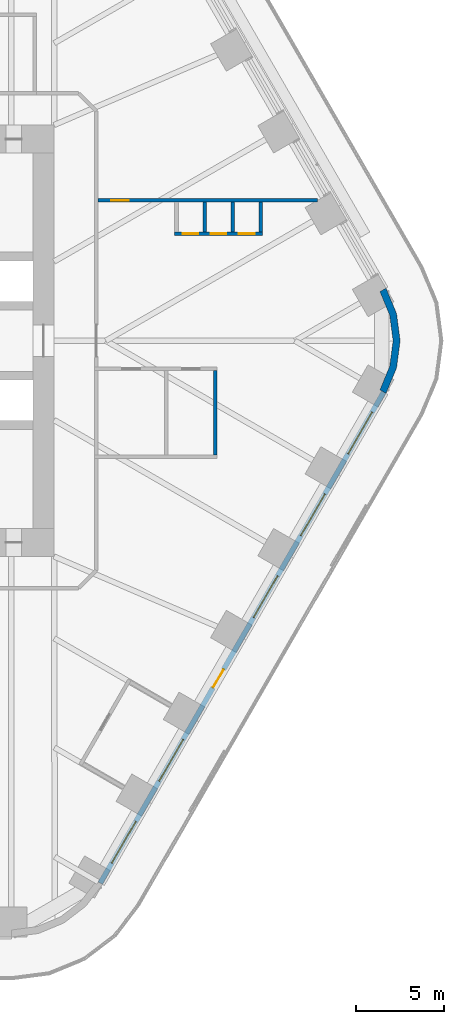
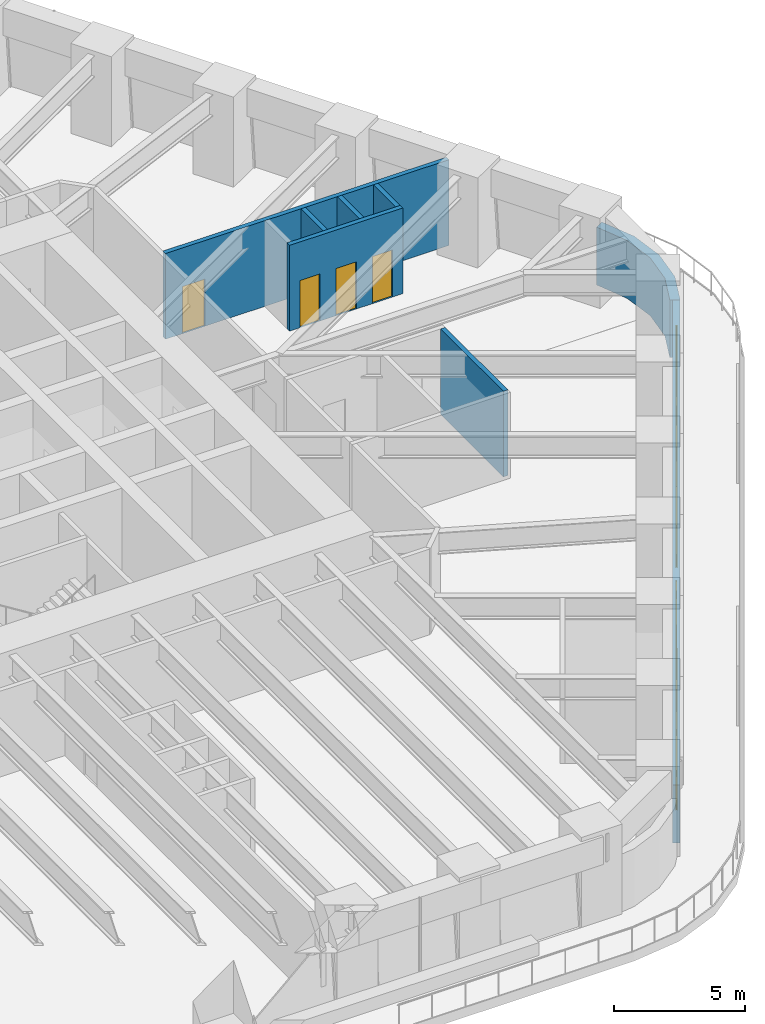
# One storey, part 20 of 24: 8 walls, 5 doors, 5 windows, 10 openings.
"""IFC4 building model written with IfcOpenShell, lengths in metres."""

from ifc_helpers import new_model, si_unit, direction, frame, frame_2d, origin, place, context, subcontext, project, spatial, polyline, rectangle, outline, extrude, material, layer, layer_set, type_object, element, fill, save


model = new_model("IFC4")

# Units and contexts
model_context = context("Model", 3, precision=1e-05, world=origin(), true_north=direction((0.0, 1.0)))
body_context = subcontext(model_context, "Body", "Model", "MODEL_VIEW")
ifc_project = project(units=[si_unit("LENGTHUNIT", "METRE"), si_unit("AREAUNIT", "SQUARE_METRE"), si_unit("VOLUMEUNIT", "CUBIC_METRE"), si_unit("PLANEANGLEUNIT", "RADIAN"), si_unit("MASSUNIT", "GRAM", prefix="KILO")], contexts=[model_context])

# Site, building, storey
site_placement = place(None, origin())
site = spatial("IfcSite", under=ifc_project, at=site_placement, CompositionType="ELEMENT")
building_placement = place(site_placement, origin())
building = spatial("IfcBuilding", under=site, at=building_placement, Name="Tarfa Lantern Tower", CompositionType="ELEMENT")
storey_placement = place(building_placement, frame((0.0, 0.0, 94.89990234375)))
storey = spatial("IfcBuildingStorey", under=building, at=storey_placement, Name="L21", CompositionType="ELEMENT", Elevation=94.89990234375)

# Wall, openings, door, windows
ifc_material_1 = material(Name="Limestone cladding on blockwork", Category="masonry")
ifc_layer_1 = layer(ifc_material_1, 0.300048828125)
ifc_layer_set_1 = layer_set([ifc_layer_1], Name="EW1 STONE-CLAD WALL 300")
wall_type_1 = type_object("IfcWallType", Name="EW1 STONE-CLAD WALL 300", PredefinedType="SOLIDWALL", material=ifc_layer_set_1)
wall_1_placement = place(storey_placement, frame((21.232177734375, -30.925048828125, 0.0), z_axis=(0.0, 0.0, 1.0), x_axis=(0.499999163675, 0.866025886636, 0.0)))
wall_1 = element("IfcWall", 1, at=wall_1_placement, inside=storey, type_object=wall_type_1, Name="Stone wall SE", PredefinedType="SOLIDWALL", context=body_context, shape_type="SweptSolid", body=[
    extrude(rectangle(XDim=32.33154296875, YDim=0.300048828125, at=frame_2d((16.165771484375, 0.0))), origin(), (0.0, 0.0, 1.0), 2.7001953125),
])
opening_1_placement = place(wall_1_placement, frame((1.3193359375, 0.0, 0.60009765625)))
opening_1 = element("IfcOpeningElement", 2, at=opening_1_placement, cuts=wall_1, Name="Opening W2", PredefinedType="OPENING", context=body_context, shape_type="SweptSolid", body=[
    extrude(rectangle(XDim=2.75, YDim=1.85009765625, at=frame_2d((1.375, 0.925048828125))), frame((0.0, 0.159912109375, 0.0), z_axis=(0.0, -1.0, 0.0), x_axis=(1.0, 0.0, 0.0)), (0.0, 0.0, 1.0), 0.320068359375),
])
opening_2_placement = place(wall_1_placement, frame((6.7080078125, 0.0, 0.60009765625)))
opening_2 = element("IfcOpeningElement", 3, at=opening_2_placement, cuts=wall_1, Name="Opening W2", PredefinedType="OPENING", context=body_context, shape_type="SweptSolid", body=[
    extrude(rectangle(XDim=2.75, YDim=1.85009765625, at=frame_2d((1.375, 0.925048828125))), frame((0.0, 0.159912109375, 0.0), z_axis=(0.0, -1.0, 0.0), x_axis=(1.0, 0.0, 0.0)), (0.0, 0.0, 1.0), 0.320068359375),
])
opening_3_placement = place(wall_1_placement, frame((12.87158203125, 0.0, 0.0)))
opening_3 = element("IfcOpeningElement", 4, at=opening_3_placement, cuts=wall_1, Name="Opening D49", PredefinedType="OPENING", context=body_context, shape_type="SweptSolid", body=[
    extrude(rectangle(XDim=1.199951171875, YDim=2.39990234375, at=frame_2d((0.60009765625, 1.199951171875))), frame((0.0, 0.159912109375, 0.0), z_axis=(0.0, -1.0, 0.0), x_axis=(1.0, 0.0, 0.0)), (0.0, 0.0, 1.0), 0.320068359375),
])
opening_4_placement = place(wall_1_placement, frame((17.485107421875, 0.0, 0.60009765625)))
opening_4 = element("IfcOpeningElement", 5, at=opening_4_placement, cuts=wall_1, Name="Opening W2", PredefinedType="OPENING", context=body_context, shape_type="SweptSolid", body=[
    extrude(rectangle(XDim=2.75, YDim=1.85009765625, at=frame_2d((1.375, 0.925048828125))), frame((0.0, 0.159912109375, 0.0), z_axis=(0.0, -1.0, 0.0), x_axis=(1.0, 0.0, 0.0)), (0.0, 0.0, 1.0), 0.320068359375),
])
opening_5_placement = place(wall_1_placement, frame((22.873779296875, 0.0, 0.60009765625)))
opening_5 = element("IfcOpeningElement", 6, at=opening_5_placement, cuts=wall_1, Name="Opening W2", PredefinedType="OPENING", context=body_context, shape_type="SweptSolid", body=[
    extrude(rectangle(XDim=2.75, YDim=1.85009765625, at=frame_2d((1.375, 0.925048828125))), frame((0.0, 0.159912109375, 0.0), z_axis=(0.0, -1.0, 0.0), x_axis=(1.0, 0.0, 0.0)), (0.0, 0.0, 1.0), 0.320068359375),
])
opening_6_placement = place(wall_1_placement, frame((28.26220703125, 0.0, 0.60009765625)))
opening_6 = element("IfcOpeningElement", 7, at=opening_6_placement, cuts=wall_1, Name="Opening W2", PredefinedType="OPENING", context=body_context, shape_type="SweptSolid", body=[
    extrude(rectangle(XDim=2.75, YDim=1.85009765625, at=frame_2d((1.375, 0.925048828125))), frame((0.0, 0.159912109375, 0.0), z_axis=(0.0, -1.0, 0.0), x_axis=(1.0, 0.0, 0.0)), (0.0, 0.0, 1.0), 0.320068359375),
])
ifc_material_2 = material(Name="Aluminium framed glazed door", Category="aluminium")
door_type_1 = type_object("IfcDoorType", Name="BE3 BALCONY DOOR 1200x2400", OperationType="SINGLE_SWING_RIGHT", PredefinedType="DOOR", material=ifc_material_2)
door_1_placement = place(opening_3_placement, origin())
door_1 = element("IfcDoor", 8, at=door_1_placement, inside=storey, type_object=door_type_1, Name="Balcony door SE", OperationType="SINGLE_SWING_RIGHT", OverallHeight=2.39990234375, OverallWidth=1.199951171875, PredefinedType="DOOR", context=body_context, shape_type="SweptSolid", body=[
    extrude(rectangle(XDim=1.199951171875, YDim=2.39990234375, at=frame_2d((0.60009765625, 1.199951171875))), frame((0.0, 0.02490234375, 0.0), z_axis=(0.0, -1.0, 0.0), x_axis=(1.0, 0.0, 0.0)), (0.0, 0.0, 1.0), 0.050048828125),
])
fill(opening_3, door_1)
ifc_material_3 = material(Name="Aluminium frame, double glazed", Category="aluminium")
window_type = type_object("IfcWindowType", Name="W2 FULL-HEIGHT GLAZING 2750x1850", PartitioningType="SINGLE_PANEL", PredefinedType="WINDOW", material=ifc_material_3)
window_1_placement = place(opening_1_placement, origin())
window_1 = element("IfcWindow", 9, at=window_1_placement, inside=storey, type_object=window_type, Name="Window SE 1", OverallHeight=1.85009765625, OverallWidth=2.75, PartitioningType="SINGLE_PANEL", PredefinedType="WINDOW", context=body_context, shape_type="SweptSolid", body=[
    extrude(rectangle(XDim=2.75, YDim=1.85009765625, at=frame_2d((1.375, 0.925048828125))), frame((0.0, 0.030029296875, 0.0), z_axis=(0.0, -1.0, 0.0), x_axis=(1.0, 0.0, 0.0)), (0.0, 0.0, 1.0), 0.06005859375),
])
fill(opening_1, window_1)
window_2_placement = place(opening_2_placement, origin())
window_2 = element("IfcWindow", 10, at=window_2_placement, inside=storey, type_object=window_type, Name="Window SE 2", OverallHeight=1.85009765625, OverallWidth=2.75, PartitioningType="SINGLE_PANEL", PredefinedType="WINDOW", context=body_context, shape_type="SweptSolid", body=[
    extrude(rectangle(XDim=2.75, YDim=1.85009765625, at=frame_2d((1.375, 0.925048828125))), frame((0.0, 0.030029296875, 0.0), z_axis=(0.0, -1.0, 0.0), x_axis=(1.0, 0.0, 0.0)), (0.0, 0.0, 1.0), 0.06005859375),
])
fill(opening_2, window_2)
window_3_placement = place(opening_4_placement, origin())
window_3 = element("IfcWindow", 11, at=window_3_placement, inside=storey, type_object=window_type, Name="Window SE 4", OverallHeight=1.85009765625, OverallWidth=2.75, PartitioningType="SINGLE_PANEL", PredefinedType="WINDOW", context=body_context, shape_type="SweptSolid", body=[
    extrude(rectangle(XDim=2.75, YDim=1.85009765625, at=frame_2d((1.375, 0.925048828125))), frame((0.0, 0.030029296875, 0.0), z_axis=(0.0, -1.0, 0.0), x_axis=(1.0, 0.0, 0.0)), (0.0, 0.0, 1.0), 0.06005859375),
])
fill(opening_4, window_3)
window_4_placement = place(opening_5_placement, origin())
window_4 = element("IfcWindow", 12, at=window_4_placement, inside=storey, type_object=window_type, Name="Window SE 5", OverallHeight=1.85009765625, OverallWidth=2.75, PartitioningType="SINGLE_PANEL", PredefinedType="WINDOW", context=body_context, shape_type="SweptSolid", body=[
    extrude(rectangle(XDim=2.75, YDim=1.85009765625, at=frame_2d((1.375, 0.925048828125))), frame((0.0, 0.030029296875, 0.0), z_axis=(0.0, -1.0, 0.0), x_axis=(1.0, 0.0, 0.0)), (0.0, 0.0, 1.0), 0.06005859375),
])
fill(opening_5, window_4)
window_5_placement = place(opening_6_placement, origin())
window_5 = element("IfcWindow", 13, at=window_5_placement, inside=storey, type_object=window_type, Name="Window SE 6", OverallHeight=1.85009765625, OverallWidth=2.75, PartitioningType="SINGLE_PANEL", PredefinedType="WINDOW", context=body_context, shape_type="SweptSolid", body=[
    extrude(rectangle(XDim=2.75, YDim=1.85009765625, at=frame_2d((1.375, 0.925048828125))), frame((0.0, 0.030029296875, 0.0), z_axis=(0.0, -1.0, 0.0), x_axis=(1.0, 0.0, 0.0)), (0.0, 0.0, 1.0), 0.06005859375),
])
fill(opening_6, window_5)

# Walls
ifc_layer_2 = layer(ifc_material_1, 0.39990234375)
ifc_layer_set_2 = layer_set([ifc_layer_2], Name="EW2 CURVED STONE CORNER 400")
wall_type_2 = type_object("IfcWallType", Name="EW2 CURVED STONE CORNER 400", PredefinedType="SOLIDWALL", material=ifc_layer_set_2)
wall_2_placement = place(storey_placement, origin())
element("IfcWall", 14, at=wall_2_placement, inside=storey, type_object=wall_type_2, Name="Stone corner SE-NE", PredefinedType="SOLIDWALL", context=body_context, shape_type="SweptSolid", body=[
    extrude(outline(polyline([(37.52783203125, -3.0), (38.127197265625, -1.552978515625), (38.33154296875, 0.0), (38.127197265625, 1.552978515625), (37.52783203125, 3.0), (37.181396484375, 2.800048828125), (37.74072265625, 1.449462890625), (37.931640625, 0.0), (37.74072265625, -1.449462890625), (37.181396484375, -2.800048828125), (37.52783203125, -3.0)])), origin(), (0.0, 0.0, 1.0), 2.7001953125),
])
ifc_material_4 = material(Name="Gypsum board on steel studs", Category="steel")
ifc_layer_3 = layer(ifc_material_4, 0.2099609375)
ifc_layer_set_3 = layer_set([ifc_layer_3], Name="IW2 ACOUSTIC PARTITION 200")
wall_type_3 = type_object("IfcWallType", Name="IW2 ACOUSTIC PARTITION 200", PredefinedType="PARTITIONING", material=ifc_layer_set_3)
wall_3_placement = place(storey_placement, frame((27.800048828125, -1.699951171875, 0.0), z_axis=(0.0, 0.0, 1.0), x_axis=(0.0, -1.0, 0.0)))
element("IfcWall", 15, at=wall_3_placement, inside=storey, type_object=wall_type_3, Name="Partition", PredefinedType="PARTITIONING", context=body_context, shape_type="SweptSolid", body=[
    extrude(rectangle(XDim=4.800048828125, YDim=0.199951171875, at=frame_2d((2.39990234375, 0.0))), origin(), (0.0, 0.0, 1.0), 4.0),
])

# Wall, opening, door
wall_4_placement = place(storey_placement, frame((21.10009765625, 8.0, 0.0), z_axis=(0.0, 0.0, 1.0), x_axis=(1.0, 0.0, 0.0)))
wall_4 = element("IfcWall", 16, at=wall_4_placement, inside=storey, type_object=wall_type_3, Name="Partition", PredefinedType="PARTITIONING", context=body_context, shape_type="SweptSolid", body=[
    extrude(rectangle(XDim=12.5107421875, YDim=0.199951171875, at=frame_2d((6.25537109375, 0.0))), origin(), (0.0, 0.0, 1.0), 4.0),
])
opening_7_placement = place(wall_4_placement, frame((0.7509765625, 0.0, 0.0)))
opening_7 = element("IfcOpeningElement", 17, at=opening_7_placement, cuts=wall_4, Name="Opening D45", PredefinedType="OPENING", context=body_context, shape_type="SweptSolid", body=[
    extrude(rectangle(XDim=1.0, YDim=2.199951171875, at=frame_2d((0.5, 1.10009765625))), frame((0.0, 0.10986328125, 0.0), z_axis=(0.0, -1.0, 0.0), x_axis=(1.0, 0.0, 0.0)), (0.0, 0.0, 1.0), 0.219970703125),
])
ifc_material_5 = material(Name="Timber door", Category="wood")
door_type_2 = type_object("IfcDoorType", Name="DR1 ROOM DOOR 1000x2200", OperationType="SINGLE_SWING_LEFT", PredefinedType="DOOR", material=ifc_material_5)
door_2_placement = place(opening_7_placement, frame((1.0, 0.0, 0.0), z_axis=(0.0, 0.0, 1.0), x_axis=(-1.0, 0.0, 0.0)))
door_2 = element("IfcDoor", 18, at=door_2_placement, inside=storey, type_object=door_type_2, Name="Zone door", OperationType="SINGLE_SWING_LEFT", OverallHeight=2.199951171875, OverallWidth=1.0, PredefinedType="DOOR", context=body_context, shape_type="SweptSolid", body=[
    extrude(rectangle(XDim=1.0, YDim=2.199951171875, at=frame_2d((0.5, 1.10009765625))), frame((0.0, 0.02490234375, 0.0), z_axis=(0.0, -1.0, 0.0), x_axis=(1.0, 0.0, 0.0)), (0.0, 0.0, 1.0), 0.050048828125),
])
fill(opening_7, door_2)

# Wall, openings, doors
wall_5_placement = place(storey_placement, frame((25.48095703125, 6.10009765625, 0.0), z_axis=(0.0, 0.0, 1.0), x_axis=(1.0, 0.0, 0.0)))
wall_5 = element("IfcWall", 19, at=wall_5_placement, inside=storey, type_object=wall_type_3, Name="Partition", PredefinedType="PARTITIONING", context=body_context, shape_type="SweptSolid", body=[
    extrude(rectangle(XDim=5.0, YDim=0.199951171875, at=frame_2d((2.5, 0.0))), origin(), (0.0, 0.0, 1.0), 4.0),
])
opening_8_placement = place(wall_5_placement, frame((0.449951171875, 0.0, 0.0)))
opening_8 = element("IfcOpeningElement", 20, at=opening_8_placement, cuts=wall_5, Name="Opening D39", PredefinedType="OPENING", context=body_context, shape_type="SweptSolid", body=[
    extrude(rectangle(XDim=0.89990234375, YDim=2.199951171875, at=frame_2d((0.449951171875, 1.10009765625))), frame((0.0, 0.10986328125, 0.0), z_axis=(0.0, -1.0, 0.0), x_axis=(1.0, 0.0, 0.0)), (0.0, 0.0, 1.0), 0.219970703125),
])
opening_9_placement = place(wall_5_placement, frame((2.050048828125, 0.0, 0.0)))
opening_9 = element("IfcOpeningElement", 21, at=opening_9_placement, cuts=wall_5, Name="Opening D40", PredefinedType="OPENING", context=body_context, shape_type="SweptSolid", body=[
    extrude(rectangle(XDim=0.89990234375, YDim=2.199951171875, at=frame_2d((0.449951171875, 1.10009765625))), frame((0.0, 0.10986328125, 0.0), z_axis=(0.0, -1.0, 0.0), x_axis=(1.0, 0.0, 0.0)), (0.0, 0.0, 1.0), 0.219970703125),
])
opening_10_placement = place(wall_5_placement, frame((3.64990234375, 0.0, 0.0)))
opening_10 = element("IfcOpeningElement", 22, at=opening_10_placement, cuts=wall_5, Name="Opening D41", PredefinedType="OPENING", context=body_context, shape_type="SweptSolid", body=[
    extrude(rectangle(XDim=0.89990234375, YDim=2.199951171875, at=frame_2d((0.449951171875, 1.10009765625))), frame((0.0, 0.10986328125, 0.0), z_axis=(0.0, -1.0, 0.0), x_axis=(1.0, 0.0, 0.0)), (0.0, 0.0, 1.0), 0.219970703125),
])
door_type_3 = type_object("IfcDoorType", Name="DR3 ROOM DOOR 900x2200", OperationType="SINGLE_SWING_LEFT", PredefinedType="DOOR", material=ifc_material_5)
door_3_placement = place(opening_8_placement, origin())
door_3 = element("IfcDoor", 23, at=door_3_placement, inside=storey, type_object=door_type_3, Name="Phone booth door", OperationType="SINGLE_SWING_RIGHT", OverallHeight=2.199951171875, OverallWidth=0.89990234375, PredefinedType="DOOR", context=body_context, shape_type="SweptSolid", body=[
    extrude(rectangle(XDim=0.89990234375, YDim=2.199951171875, at=frame_2d((0.449951171875, 1.10009765625))), frame((0.0, 0.02490234375, 0.0), z_axis=(0.0, -1.0, 0.0), x_axis=(1.0, 0.0, 0.0)), (0.0, 0.0, 1.0), 0.050048828125),
])
fill(opening_8, door_3)
door_4_placement = place(opening_9_placement, origin())
door_4 = element("IfcDoor", 24, at=door_4_placement, inside=storey, type_object=door_type_3, Name="Phone booth door", OperationType="SINGLE_SWING_RIGHT", OverallHeight=2.199951171875, OverallWidth=0.89990234375, PredefinedType="DOOR", context=body_context, shape_type="SweptSolid", body=[
    extrude(rectangle(XDim=0.89990234375, YDim=2.199951171875, at=frame_2d((0.449951171875, 1.10009765625))), frame((0.0, 0.02490234375, 0.0), z_axis=(0.0, -1.0, 0.0), x_axis=(1.0, 0.0, 0.0)), (0.0, 0.0, 1.0), 0.050048828125),
])
fill(opening_9, door_4)
door_5_placement = place(opening_10_placement, origin())
door_5 = element("IfcDoor", 25, at=door_5_placement, inside=storey, type_object=door_type_3, Name="Phone booth door", OperationType="SINGLE_SWING_LEFT", OverallHeight=2.199951171875, OverallWidth=0.89990234375, PredefinedType="DOOR", context=body_context, shape_type="SweptSolid", body=[
    extrude(rectangle(XDim=0.89990234375, YDim=2.199951171875, at=frame_2d((0.449951171875, 1.10009765625))), frame((0.0, 0.02490234375, 0.0), z_axis=(0.0, -1.0, 0.0), x_axis=(1.0, 0.0, 0.0)), (0.0, 0.0, 1.0), 0.050048828125),
])
fill(opening_10, door_5)

# Walls
for number, where, z_axis, x_axis, name in (
    (26, (27.180908203125, 7.89990234375, 0.0), (0.0, 0.0, 1.0), (0.0, -1.0, 0.0), "Partition"),
    (27, (28.781005859375, 7.89990234375, 0.0), (0.0, 0.0, 1.0), (0.0, -1.0, 0.0), "Partition"),
    (28, (30.380859375, 7.89990234375, 0.0), (0.0, 0.0, 1.0), (0.0, -1.0, 0.0), "Partition"),
):
    element("IfcWall", number, at=place(storey_placement, frame(where, z_axis=z_axis, x_axis=x_axis)), inside=storey, type_object=wall_type_3, Name=name, PredefinedType="PARTITIONING", context=body_context, shape_type="SweptSolid", body=[
        extrude(rectangle(XDim=1.699951171875, YDim=0.199951171875, at=frame_2d((0.85009765625, 0.0))), origin(), (0.0, 0.0, 1.0), 4.0),
    ])

save(model, "model.ifc")
